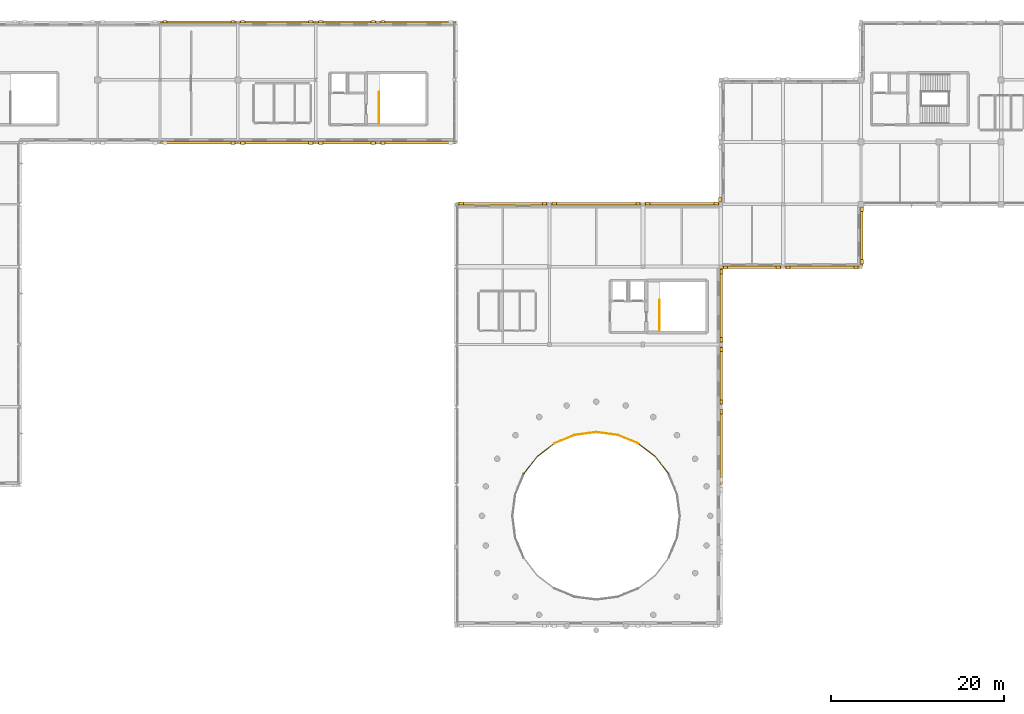
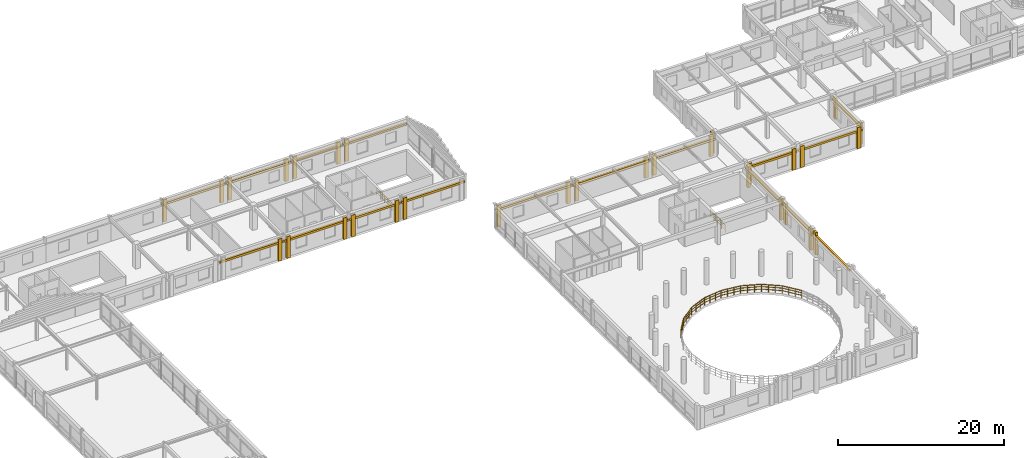
# One storey, part 48 of 52: 48 coverings, 10 railings.
"""IFC4 building model written with IfcOpenShell, lengths in metres."""

from ifc_helpers import new_model, si_unit, direction, frame, frame_2d, origin, origin_2d, place, context, subcontext, project, spatial, rectangle, circle, extrude, material, layer, layer_set, type_object, element, save


model = new_model("IFC4")

# Units and contexts
model_context = context("Model", 3, precision=1e-05, world=origin(), true_north=direction((0.0, 1.0)))
body_context = subcontext(model_context, "Body", "Model", "MODEL_VIEW")
ifc_project = project(units=[si_unit("LENGTHUNIT", "METRE"), si_unit("AREAUNIT", "SQUARE_METRE"), si_unit("VOLUMEUNIT", "CUBIC_METRE"), si_unit("PLANEANGLEUNIT", "RADIAN"), si_unit("MASSUNIT", "GRAM", prefix="KILO")], contexts=[model_context])

# Site, building, storey
site_placement = place(None, origin())
site = spatial("IfcSite", under=ifc_project, at=site_placement, CompositionType="ELEMENT")
building_placement = place(site_placement, origin())
building = spatial("IfcBuilding", under=site, at=building_placement, Name="Clarverna Civic Hall", CompositionType="ELEMENT")
storey_placement = place(building_placement, frame((0.0, 0.0, 16.800048828125)))
storey = spatial("IfcBuildingStorey", under=building, at=storey_placement, Name="L04", CompositionType="ELEMENT", Elevation=16.800048828125)

# Coverings
ifc_material_1 = material(Name="Montjuic Buff Limestone Ashlar Cladding", Category="masonry")
ifc_layer = layer(ifc_material_1, 0.070068359375)
ifc_layer_set = layer_set([ifc_layer], Name="Montjuic Buff Limestone Ashlar Cladding")
covering_type = type_object("IfcCoveringType", Name="CV-CL2", PredefinedType="CLADDING", material=ifc_layer_set)
covering_1_placement = place(storey_placement, frame((66.68505859375, 95.080078125, 2.3798828125), z_axis=(0.0, 0.0, 1.0), x_axis=(1.0, 0.0, 0.0)))
element("IfcCovering", 1, at=covering_1_placement, inside=storey, type_object=covering_type, Name="CV-CL2-737", PredefinedType="CLADDING", context=body_context, shape_type="SweptSolid", body=[
    extrude(rectangle(XDim=10.655029296875, YDim=0.280029296875, at=frame_2d((5.32763671875, 0.0))), origin(), (0.0, 0.0, 1.0), 0.300048828125),
])
for number, where, z_axis, x_axis, name in (
    (2, (66.945068359375, 95.110107421875, 0.0), (0.0, 0.0, 1.0), (1.0, 0.0, 0.0), "CV-CL2-738"),
    (3, (76.580078125, 95.110107421875, 0.0), (0.0, 0.0, 1.0), (1.0, 0.0, 0.0), "CV-CL2-739"),
):
    element("IfcCovering", number, at=place(storey_placement, frame(where, z_axis=z_axis, x_axis=x_axis)), inside=storey, type_object=covering_type, Name=name, PredefinedType="CLADDING", context=body_context, shape_type="SweptSolid", body=[
        extrude(rectangle(XDim=0.5, YDim=0.340087890625, at=frame_2d((0.25, 0.0))), origin(), (0.0, 0.0, 1.0), 3.139892578125),
    ])
covering_2_placement = place(storey_placement, frame((77.4599609375, 95.080078125, 2.2099609375), z_axis=(0.0, 0.0, 1.0), x_axis=(1.0, 0.0, 0.0)))
element("IfcCovering", 4, at=covering_2_placement, inside=storey, type_object=covering_type, Name="CV-CL2-740", PredefinedType="CLADDING", context=body_context, shape_type="SweptSolid", body=[
    extrude(rectangle(XDim=10.679931640625, YDim=0.280029296875, at=frame_2d((5.33984375, 0.0))), origin(), (0.0, 0.0, 1.0), 0.300048828125),
])
for number, where, z_axis, x_axis, name in (
    (5, (77.719970703125, 95.110107421875, 0.0), (0.0, 0.0, 1.0), (1.0, 0.0, 0.0), "CV-CL2-741"),
    (6, (87.3798828125, 95.110107421875, 0.0), (0.0, 0.0, 1.0), (1.0, 0.0, 0.0), "CV-CL2-742"),
):
    element("IfcCovering", number, at=place(storey_placement, frame(where, z_axis=z_axis, x_axis=x_axis)), inside=storey, type_object=covering_type, Name=name, PredefinedType="CLADDING", context=body_context, shape_type="SweptSolid", body=[
        extrude(rectangle(XDim=0.5, YDim=0.340087890625, at=frame_2d((0.25, 0.0))), origin(), (0.0, 0.0, 1.0), 2.969970703125),
    ])
covering_3_placement = place(storey_placement, frame((88.260009765625, 95.080078125, 2.2099609375), z_axis=(0.0, 0.0, 1.0), x_axis=(1.0, 0.0, 0.0)))
element("IfcCovering", 7, at=covering_3_placement, inside=storey, type_object=covering_type, Name="CV-CL2-743", PredefinedType="CLADDING", context=body_context, shape_type="SweptSolid", body=[
    extrude(rectangle(XDim=8.905029296875, YDim=0.280029296875, at=frame_2d((4.45263671875, 0.0))), origin(), (0.0, 0.0, 1.0), 0.300048828125),
])
for number, where, z_axis, x_axis, name in (
    (8, (88.52001953125, 95.110107421875, 0.0), (0.0, 0.0, 1.0), (1.0, 0.0, 0.0), "CV-CL2-744"),
    (9, (96.405029296875, 95.110107421875, 0.0), (0.0, 0.0, 1.0), (1.0, 0.0, 0.0), "CV-CL2-745"),
):
    element("IfcCovering", number, at=place(storey_placement, frame(where, z_axis=z_axis, x_axis=x_axis)), inside=storey, type_object=covering_type, Name=name, PredefinedType="CLADDING", context=body_context, shape_type="SweptSolid", body=[
        extrude(rectangle(XDim=0.5, YDim=0.340087890625, at=frame_2d((0.25, 0.0))), origin(), (0.0, 0.0, 1.0), 2.969970703125),
    ])
covering_4_placement = place(storey_placement, frame((97.114990234375, 95.320068359375, 0.0), z_axis=(0.0, 0.0, 1.0), x_axis=(0.0, 1.0, 0.0)))
element("IfcCovering", 10, at=covering_4_placement, inside=storey, type_object=covering_type, Name="CV-CL2-747", PredefinedType="CLADDING", context=body_context, shape_type="SweptSolid", body=[
    extrude(rectangle(XDim=0.5, YDim=0.340087890625, at=frame_2d((0.25, 0.0))), origin(), (0.0, 0.0, 1.0), 3.099853515625),
])
covering_5_placement = place(storey_placement, frame((113.47998046875, 94.93994140625, 2.35986328125), z_axis=(0.0, 0.0, 1.0), x_axis=(0.0, -1.0, 0.0)))
element("IfcCovering", 11, at=covering_5_placement, inside=storey, type_object=covering_type, Name="CV-CL2-773", PredefinedType="CLADDING", context=body_context, shape_type="SweptSolid", body=[
    extrude(rectangle(XDim=7.079833984375, YDim=0.280029296875, at=frame_2d((3.5400390625, 0.0))), origin(), (0.0, 0.0, 1.0), 0.300048828125),
])
for number, where, z_axis, x_axis, name in (
    (12, (113.510009765625, 94.679931640625, 0.0), (0.0, 0.0, 1.0), (0.0, -1.0, 0.0), "CV-CL2-774"),
    (13, (113.510009765625, 88.6201171875, 0.0), (0.0, 0.0, 1.0), (0.0, -1.0, 0.0), "CV-CL2-775"),
):
    element("IfcCovering", number, at=place(storey_placement, frame(where, z_axis=z_axis, x_axis=x_axis)), inside=storey, type_object=covering_type, Name=name, PredefinedType="CLADDING", context=body_context, shape_type="SweptSolid", body=[
        extrude(rectangle(XDim=0.5, YDim=0.340087890625, at=frame_2d((0.25, 0.0))), origin(), (0.0, 0.0, 1.0), 3.119873046875),
    ])
covering_6_placement = place(storey_placement, frame((113.340087890625, 87.719970703125, 2.35986328125), z_axis=(0.0, 0.0, 1.0), x_axis=(-1.0, 0.0, 0.0)))
element("IfcCovering", 14, at=covering_6_placement, inside=storey, type_object=covering_type, Name="CV-CL2-776", PredefinedType="CLADDING", context=body_context, shape_type="SweptSolid", body=[
    extrude(rectangle(XDim=8.880126953125, YDim=0.280029296875, at=frame_2d((4.43994140625, 0.0))), origin(), (0.0, 0.0, 1.0), 0.300048828125),
])
for number, where, z_axis, x_axis, name in (
    (15, (113.080078125, 87.68994140625, 0.0), (0.0, 0.0, 1.0), (-1.0, 0.0, 0.0), "CV-CL2-777"),
    (16, (105.219970703125, 87.68994140625, 0.0), (0.0, 0.0, 1.0), (-1.0, 0.0, 0.0), "CV-CL2-778"),
):
    element("IfcCovering", number, at=place(storey_placement, frame(where, z_axis=z_axis, x_axis=x_axis)), inside=storey, type_object=covering_type, Name=name, PredefinedType="CLADDING", context=body_context, shape_type="SweptSolid", body=[
        extrude(rectangle(XDim=0.5, YDim=0.340087890625, at=frame_2d((0.25, 0.0))), origin(), (0.0, 0.0, 1.0), 3.119873046875),
    ])
covering_7_placement = place(storey_placement, frame((104.340087890625, 87.719970703125, 2.33984375), z_axis=(0.0, 0.0, 1.0), x_axis=(-1.0, 0.0, 0.0)))
element("IfcCovering", 17, at=covering_7_placement, inside=storey, type_object=covering_type, Name="CV-CL2-779", PredefinedType="CLADDING", context=body_context, shape_type="SweptSolid", body=[
    extrude(rectangle(XDim=7.10498046875, YDim=0.280029296875, at=frame_2d((3.552490234375, 0.0))), origin(), (0.0, 0.0, 1.0), 0.300048828125),
])
for number, where, z_axis, x_axis, name in (
    (18, (104.080078125, 87.68994140625, 0.0), (0.0, 0.0, 1.0), (-1.0, 0.0, 0.0), "CV-CL2-780"),
    (19, (97.9951171875, 87.68994140625, 0.0), (0.0, 0.0, 1.0), (-1.0, 0.0, 0.0), "CV-CL2-781"),
):
    element("IfcCovering", number, at=place(storey_placement, frame(where, z_axis=z_axis, x_axis=x_axis)), inside=storey, type_object=covering_type, Name=name, PredefinedType="CLADDING", context=body_context, shape_type="SweptSolid", body=[
        extrude(rectangle(XDim=0.5, YDim=0.340087890625, at=frame_2d((0.25, 0.0))), origin(), (0.0, 0.0, 1.0), 3.099853515625),
    ])
covering_8_placement = place(storey_placement, frame((97.2548828125, 87.739990234375, 2.33984375), z_axis=(0.0, 0.0, 1.0), x_axis=(0.0, -1.0, 0.0)))
element("IfcCovering", 20, at=covering_8_placement, inside=storey, type_object=covering_type, Name="CV-CL2-782", PredefinedType="CLADDING", context=body_context, shape_type="SweptSolid", body=[
    extrude(rectangle(XDim=8.8798828125, YDim=0.280029296875, at=frame_2d((4.43994140625, 0.0))), origin(), (0.0, 0.0, 1.0), 0.300048828125),
])
for number, where, z_axis, x_axis, name in (
    (21, (97.284912109375, 87.47998046875, 0.0), (0.0, 0.0, 1.0), (0.0, -1.0, 0.0), "CV-CL2-783"),
    (22, (97.284912109375, 79.6201171875, 0.0), (0.0, 0.0, 1.0), (0.0, -1.0, 0.0), "CV-CL2-784"),
):
    element("IfcCovering", number, at=place(storey_placement, frame(where, z_axis=z_axis, x_axis=x_axis)), inside=storey, type_object=covering_type, Name=name, PredefinedType="CLADDING", context=body_context, shape_type="SweptSolid", body=[
        extrude(rectangle(XDim=0.5, YDim=0.340087890625, at=frame_2d((0.25, 0.0))), origin(), (0.0, 0.0, 1.0), 3.099853515625),
    ])
covering_9_placement = place(storey_placement, frame((97.2548828125, 78.739990234375, 2.33984375), z_axis=(0.0, 0.0, 1.0), x_axis=(0.0, -1.0, 0.0)))
element("IfcCovering", 23, at=covering_9_placement, inside=storey, type_object=covering_type, Name="CV-CL2-785", PredefinedType="CLADDING", context=body_context, shape_type="SweptSolid", body=[
    extrude(rectangle(XDim=7.080078125, YDim=0.280029296875, at=frame_2d((3.5400390625, 0.0))), origin(), (0.0, 0.0, 1.0), 0.300048828125),
])
for number, where, z_axis, x_axis, name in (
    (24, (97.284912109375, 78.47998046875, 0.0), (0.0, 0.0, 1.0), (0.0, -1.0, 0.0), "CV-CL2-786"),
    (25, (97.284912109375, 72.419921875, 0.0), (0.0, 0.0, 1.0), (0.0, -1.0, 0.0), "CV-CL2-787"),
):
    element("IfcCovering", number, at=place(storey_placement, frame(where, z_axis=z_axis, x_axis=x_axis)), inside=storey, type_object=covering_type, Name=name, PredefinedType="CLADDING", context=body_context, shape_type="SweptSolid", body=[
        extrude(rectangle(XDim=0.5, YDim=0.340087890625, at=frame_2d((0.25, 0.0))), origin(), (0.0, 0.0, 1.0), 3.099853515625),
    ])
covering_10_placement = place(storey_placement, frame((97.2548828125, 71.5400390625, 2.5), z_axis=(0.0, 0.0, 1.0), x_axis=(0.0, -1.0, 0.0)))
element("IfcCovering", 26, at=covering_10_placement, inside=storey, type_object=covering_type, Name="CV-CL2-788", PredefinedType="CLADDING", context=body_context, shape_type="SweptSolid", body=[
    extrude(rectangle(XDim=8.880126953125, YDim=0.280029296875, at=frame_2d((4.43994140625, 0.0))), origin(), (0.0, 0.0, 1.0), 0.300048828125),
])
covering_11_placement = place(storey_placement, frame((97.284912109375, 71.280029296875, 0.0), z_axis=(0.0, 0.0, 1.0), x_axis=(0.0, -1.0, 0.0)))
element("IfcCovering", 27, at=covering_11_placement, inside=storey, type_object=covering_type, Name="CV-CL2-789", PredefinedType="CLADDING", context=body_context, shape_type="SweptSolid", body=[
    extrude(rectangle(XDim=0.5, YDim=0.340087890625, at=frame_2d((0.25, 0.0))), origin(), (0.0, 0.0, 1.0), 3.260009765625),
])
covering_12_placement = place(storey_placement, frame((32.4599609375, 116.080078125, 2.4599609375), z_axis=(0.0, 0.0, 1.0), x_axis=(1.0, 0.0, 0.0)))
element("IfcCovering", 28, at=covering_12_placement, inside=storey, type_object=covering_type, Name="CV-CL2-818", PredefinedType="CLADDING", context=body_context, shape_type="SweptSolid", body=[
    extrude(rectangle(XDim=8.880126953125, YDim=0.280029296875, at=frame_2d((4.43994140625, 0.0))), origin(), (0.0, 0.0, 1.0), 0.300048828125),
])
for number, where, z_axis, x_axis, name in (
    (29, (32.719970703125, 116.110107421875, 0.0), (0.0, 0.0, 1.0), (1.0, 0.0, 0.0), "CV-CL2-819"),
    (30, (40.580078125, 116.110107421875, 0.0), (0.0, 0.0, 1.0), (1.0, 0.0, 0.0), "CV-CL2-820"),
):
    element("IfcCovering", number, at=place(storey_placement, frame(where, z_axis=z_axis, x_axis=x_axis)), inside=storey, type_object=covering_type, Name=name, PredefinedType="CLADDING", context=body_context, shape_type="SweptSolid", body=[
        extrude(rectangle(XDim=0.5, YDim=0.340087890625, at=frame_2d((0.25, 0.0))), origin(), (0.0, 0.0, 1.0), 3.219970703125),
    ])
covering_13_placement = place(storey_placement, frame((41.4599609375, 116.080078125, 2.419921875), z_axis=(0.0, 0.0, 1.0), x_axis=(1.0, 0.0, 0.0)))
element("IfcCovering", 31, at=covering_13_placement, inside=storey, type_object=covering_type, Name="CV-CL2-821", PredefinedType="CLADDING", context=body_context, shape_type="SweptSolid", body=[
    extrude(rectangle(XDim=8.880126953125, YDim=0.280029296875, at=frame_2d((4.43994140625, 0.0))), origin(), (0.0, 0.0, 1.0), 0.300048828125),
])
for number, where, z_axis, x_axis, name in (
    (32, (41.719970703125, 116.110107421875, 0.0), (0.0, 0.0, 1.0), (1.0, 0.0, 0.0), "CV-CL2-822"),
    (33, (49.580078125, 116.110107421875, 0.0), (0.0, 0.0, 1.0), (1.0, 0.0, 0.0), "CV-CL2-823"),
):
    element("IfcCovering", number, at=place(storey_placement, frame(where, z_axis=z_axis, x_axis=x_axis)), inside=storey, type_object=covering_type, Name=name, PredefinedType="CLADDING", context=body_context, shape_type="SweptSolid", body=[
        extrude(rectangle(XDim=0.5, YDim=0.340087890625, at=frame_2d((0.25, 0.0))), origin(), (0.0, 0.0, 1.0), 3.179931640625),
    ])
covering_14_placement = place(storey_placement, frame((50.4599609375, 116.080078125, 2.419921875), z_axis=(0.0, 0.0, 1.0), x_axis=(1.0, 0.0, 0.0)))
element("IfcCovering", 34, at=covering_14_placement, inside=storey, type_object=covering_type, Name="CV-CL2-824", PredefinedType="CLADDING", context=body_context, shape_type="SweptSolid", body=[
    extrude(rectangle(XDim=7.080078125, YDim=0.280029296875, at=frame_2d((3.5400390625, 0.0))), origin(), (0.0, 0.0, 1.0), 0.300048828125),
])
for number, where, z_axis, x_axis, name in (
    (35, (50.719970703125, 116.110107421875, 0.0), (0.0, 0.0, 1.0), (1.0, 0.0, 0.0), "CV-CL2-825"),
    (36, (56.780029296875, 116.110107421875, 0.0), (0.0, 0.0, 1.0), (1.0, 0.0, 0.0), "CV-CL2-826"),
):
    element("IfcCovering", number, at=place(storey_placement, frame(where, z_axis=z_axis, x_axis=x_axis)), inside=storey, type_object=covering_type, Name=name, PredefinedType="CLADDING", context=body_context, shape_type="SweptSolid", body=[
        extrude(rectangle(XDim=0.5, YDim=0.340087890625, at=frame_2d((0.25, 0.0))), origin(), (0.0, 0.0, 1.0), 3.179931640625),
    ])
covering_15_placement = place(storey_placement, frame((57.659912109375, 116.080078125, 2.419921875), z_axis=(0.0, 0.0, 1.0), x_axis=(1.0, 0.0, 0.0)))
element("IfcCovering", 37, at=covering_15_placement, inside=storey, type_object=covering_type, Name="CV-CL2-827", PredefinedType="CLADDING", context=body_context, shape_type="SweptSolid", body=[
    extrude(rectangle(XDim=8.85498046875, YDim=0.280029296875, at=frame_2d((4.427490234375, 0.0))), origin(), (0.0, 0.0, 1.0), 0.300048828125),
])
covering_16_placement = place(storey_placement, frame((57.919921875, 116.110107421875, 0.0), z_axis=(0.0, 0.0, 1.0), x_axis=(1.0, 0.0, 0.0)))
element("IfcCovering", 38, at=covering_16_placement, inside=storey, type_object=covering_type, Name="CV-CL2-828", PredefinedType="CLADDING", context=body_context, shape_type="SweptSolid", body=[
    extrude(rectangle(XDim=0.5, YDim=0.340087890625, at=frame_2d((0.25, 0.0))), origin(), (0.0, 0.0, 1.0), 3.179931640625),
])
covering_17_placement = place(storey_placement, frame((66.514892578125, 102.1201171875, 2.419921875), z_axis=(0.0, 0.0, 1.0), x_axis=(-1.0, 0.0, 0.0)))
element("IfcCovering", 39, at=covering_17_placement, inside=storey, type_object=covering_type, Name="CV-CL2-830", PredefinedType="CLADDING", context=body_context, shape_type="SweptSolid", body=[
    extrude(rectangle(XDim=8.85498046875, YDim=0.280029296875, at=frame_2d((4.427490234375, 0.0))), origin(), (0.0, 0.0, 1.0), 0.300048828125),
])
covering_18_placement = place(storey_placement, frame((58.419921875, 102.090087890625, 0.0), z_axis=(0.0, 0.0, 1.0), x_axis=(-1.0, 0.0, 0.0)))
element("IfcCovering", 40, at=covering_18_placement, inside=storey, type_object=covering_type, Name="CV-CL2-832", PredefinedType="CLADDING", context=body_context, shape_type="SweptSolid", body=[
    extrude(rectangle(XDim=0.5, YDim=0.340087890625, at=frame_2d((0.25, 0.0))), origin(), (0.0, 0.0, 1.0), 3.179931640625),
])
covering_19_placement = place(storey_placement, frame((57.5400390625, 102.1201171875, 2.419921875), z_axis=(0.0, 0.0, 1.0), x_axis=(-1.0, 0.0, 0.0)))
element("IfcCovering", 41, at=covering_19_placement, inside=storey, type_object=covering_type, Name="CV-CL2-833", PredefinedType="CLADDING", context=body_context, shape_type="SweptSolid", body=[
    extrude(rectangle(XDim=7.080078125, YDim=0.280029296875, at=frame_2d((3.5400390625, 0.0))), origin(), (0.0, 0.0, 1.0), 0.300048828125),
])
for number, where, z_axis, x_axis, name in (
    (42, (57.280029296875, 102.090087890625, 0.0), (0.0, 0.0, 1.0), (-1.0, 0.0, 0.0), "CV-CL2-834"),
    (43, (51.219970703125, 102.090087890625, 0.0), (0.0, 0.0, 1.0), (-1.0, 0.0, 0.0), "CV-CL2-835"),
):
    element("IfcCovering", number, at=place(storey_placement, frame(where, z_axis=z_axis, x_axis=x_axis)), inside=storey, type_object=covering_type, Name=name, PredefinedType="CLADDING", context=body_context, shape_type="SweptSolid", body=[
        extrude(rectangle(XDim=0.5, YDim=0.340087890625, at=frame_2d((0.25, 0.0))), origin(), (0.0, 0.0, 1.0), 3.179931640625),
    ])
covering_20_placement = place(storey_placement, frame((50.340087890625, 102.1201171875, 2.419921875), z_axis=(0.0, 0.0, 1.0), x_axis=(-1.0, 0.0, 0.0)))
element("IfcCovering", 44, at=covering_20_placement, inside=storey, type_object=covering_type, Name="CV-CL2-836", PredefinedType="CLADDING", context=body_context, shape_type="SweptSolid", body=[
    extrude(rectangle(XDim=8.880126953125, YDim=0.280029296875, at=frame_2d((4.43994140625, 0.0))), origin(), (0.0, 0.0, 1.0), 0.300048828125),
])
for number, where, z_axis, x_axis, name in (
    (45, (50.080078125, 102.090087890625, 0.0), (0.0, 0.0, 1.0), (-1.0, 0.0, 0.0), "CV-CL2-837"),
    (46, (42.219970703125, 102.090087890625, 0.0), (0.0, 0.0, 1.0), (-1.0, 0.0, 0.0), "CV-CL2-838"),
):
    element("IfcCovering", number, at=place(storey_placement, frame(where, z_axis=z_axis, x_axis=x_axis)), inside=storey, type_object=covering_type, Name=name, PredefinedType="CLADDING", context=body_context, shape_type="SweptSolid", body=[
        extrude(rectangle(XDim=0.5, YDim=0.340087890625, at=frame_2d((0.25, 0.0))), origin(), (0.0, 0.0, 1.0), 3.179931640625),
    ])
covering_21_placement = place(storey_placement, frame((41.340087890625, 102.1201171875, 2.4599609375), z_axis=(0.0, 0.0, 1.0), x_axis=(-1.0, 0.0, 0.0)))
element("IfcCovering", 47, at=covering_21_placement, inside=storey, type_object=covering_type, Name="CV-CL2-839", PredefinedType="CLADDING", context=body_context, shape_type="SweptSolid", body=[
    extrude(rectangle(XDim=8.880126953125, YDim=0.280029296875, at=frame_2d((4.43994140625, 0.0))), origin(), (0.0, 0.0, 1.0), 0.300048828125),
])
covering_22_placement = place(storey_placement, frame((41.080078125, 102.090087890625, 0.0), z_axis=(0.0, 0.0, 1.0), x_axis=(-1.0, 0.0, 0.0)))
element("IfcCovering", 48, at=covering_22_placement, inside=storey, type_object=covering_type, Name="CV-CL2-840", PredefinedType="CLADDING", context=body_context, shape_type="SweptSolid", body=[
    extrude(rectangle(XDim=0.5, YDim=0.340087890625, at=frame_2d((0.25, 0.0))), origin(), (0.0, 0.0, 1.0), 3.219970703125),
])

# Railings
ifc_material_2 = material(Name="Anodised Bronze Architectural Balustrade")
railing_type = type_object("IfcRailingType", Name="GR-02", PredefinedType="BALUSTRADE", material=ifc_material_2)
railing_1_placement = place(storey_placement, frame((90.110107421875, 80.340087890625, 0.0)))
element("IfcRailing", 49, at=railing_1_placement, inside=storey, type_object=railing_type, Name="GR-02-087", PredefinedType="BALUSTRADE", context=body_context, shape_type="SweptSolid", body=[
    extrude(circle(Radius=0.02392578125, at=origin_2d()), frame((0.0, 0.0, 1.09619140625), z_axis=(0.0, 1.0, 0.0), x_axis=(-1.0, 0.0, 0.0)), (0.0, 0.0, 1.0), 3.619873046875),
    extrude(circle(Radius=0.011962890625, at=origin_2d()), frame((0.0, 0.0, 0.39208984375), z_axis=(0.0, 1.0, 0.0), x_axis=(-1.0, 0.0, 0.0)), (0.0, 0.0, 1.0), 3.619873046875),
    extrude(circle(Radius=0.011962890625, at=origin_2d()), frame((0.0, 0.0, 0.76171875), z_axis=(0.0, 1.0, 0.0), x_axis=(-1.0, 0.0, 0.0)), (0.0, 0.0, 1.0), 3.619873046875),
    extrude(circle(Radius=0.02099609375, at=origin_2d()), origin(), (0.0, 0.0, 1.0), 1.072021484375),
    extrude(circle(Radius=0.02099609375, at=origin_2d()), frame((0.0, 0.905029296875, 0.0)), (0.0, 0.0, 1.0), 1.072021484375),
    extrude(circle(Radius=0.02099609375, at=origin_2d()), frame((0.0, 1.81005859375, 0.0)), (0.0, 0.0, 1.0), 1.072021484375),
    extrude(circle(Radius=0.02099609375, at=origin_2d()), frame((0.0, 2.71484375, 0.0)), (0.0, 0.0, 1.0), 1.072021484375),
    extrude(circle(Radius=0.02099609375, at=origin_2d()), frame((0.0, 3.619873046875, 0.0)), (0.0, 0.0, 1.0), 1.072021484375),
])
railing_2_placement = place(storey_placement, frame((57.7099609375, 104.340087890625, 0.0)))
element("IfcRailing", 50, at=railing_2_placement, inside=storey, type_object=railing_type, Name="GR-02-195", PredefinedType="BALUSTRADE", context=body_context, shape_type="SweptSolid", body=[
    extrude(circle(Radius=0.02392578125, at=origin_2d()), frame((0.0, 0.0, 1.09619140625), z_axis=(0.0, 1.0, 0.0), x_axis=(-1.0, 0.0, 0.0)), (0.0, 0.0, 1.0), 3.659912109375),
    extrude(circle(Radius=0.011962890625, at=origin_2d()), frame((0.0, 0.0, 0.39208984375), z_axis=(0.0, 1.0, 0.0), x_axis=(-1.0, 0.0, 0.0)), (0.0, 0.0, 1.0), 3.659912109375),
    extrude(circle(Radius=0.011962890625, at=origin_2d()), frame((0.0, 0.0, 0.76171875), z_axis=(0.0, 1.0, 0.0), x_axis=(-1.0, 0.0, 0.0)), (0.0, 0.0, 1.0), 3.659912109375),
    extrude(circle(Radius=0.02099609375, at=origin_2d()), origin(), (0.0, 0.0, 1.0), 1.072021484375),
    extrude(circle(Radius=0.02099609375, at=origin_2d()), frame((0.0, 0.9150390625, 0.0)), (0.0, 0.0, 1.0), 1.072021484375),
    extrude(circle(Radius=0.02099609375, at=origin_2d()), frame((0.0, 1.830078125, 0.0)), (0.0, 0.0, 1.0), 1.072021484375),
    extrude(circle(Radius=0.02099609375, at=origin_2d()), frame((0.0, 2.744873046875, 0.0)), (0.0, 0.0, 1.0), 1.072021484375),
    extrude(circle(Radius=0.02099609375, at=origin_2d()), frame((0.0, 3.659912109375, 0.0)), (0.0, 0.0, 1.0), 1.072021484375),
])
railing_3_placement = place(storey_placement, frame((74.416259765625, 63.84033203125, 0.0)))
element("IfcRailing", 51, at=railing_3_placement, inside=storey, type_object=railing_type, Name="GR-02-278", PredefinedType="BALUSTRADE", context=body_context, shape_type="SweptSolid", body=[
    extrude(circle(Radius=0.02392578125, at=origin_2d()), frame((0.0, 0.0, 1.09619140625), z_axis=(0.608743841742, 0.793366835166, 0.0), x_axis=(-0.793366835166, 0.608743841742, 0.0)), (0.0, 0.0, 1.0), 2.527099609375),
    extrude(circle(Radius=0.011962890625, at=origin_2d()), frame((0.0, 0.0, 0.39208984375), z_axis=(0.608743841742, 0.793366835166, 0.0), x_axis=(-0.793366835166, 0.608743841742, 0.0)), (0.0, 0.0, 1.0), 2.527099609375),
    extrude(circle(Radius=0.011962890625, at=origin_2d()), frame((0.0, 0.0, 0.76171875), z_axis=(0.608743841742, 0.793366835166, 0.0), x_axis=(-0.793366835166, 0.608743841742, 0.0)), (0.0, 0.0, 1.0), 2.527099609375),
    extrude(circle(Radius=0.02099609375, at=origin_2d()), origin(), (0.0, 0.0, 1.0), 1.072021484375),
    extrude(circle(Radius=0.02099609375, at=origin_2d()), frame((0.5126953125, 0.668212890625, 0.0)), (0.0, 0.0, 1.0), 1.072021484375),
    extrude(circle(Radius=0.02099609375, at=origin_2d()), frame((1.025634765625, 1.336669921875, 0.0)), (0.0, 0.0, 1.0), 1.072021484375),
    extrude(circle(Radius=0.02099609375, at=origin_2d()), frame((1.538330078125, 2.0048828125, 0.0)), (0.0, 0.0, 1.0), 1.072021484375),
])
railing_4_placement = place(storey_placement, frame((75.95458984375, 65.84521484375, 0.0)))
element("IfcRailing", 52, at=railing_4_placement, inside=storey, type_object=railing_type, Name="GR-02-279", PredefinedType="BALUSTRADE", context=body_context, shape_type="SweptSolid", body=[
    extrude(circle(Radius=0.02392578125, at=origin_2d()), frame((0.0, 0.0, 1.09619140625), z_axis=(0.79335597862, 0.608757990657, 0.0), x_axis=(-0.608757990657, 0.79335597862, 0.0)), (0.0, 0.0, 1.0), 2.52734375),
    extrude(circle(Radius=0.011962890625, at=origin_2d()), frame((0.0, 0.0, 0.39208984375), z_axis=(0.79335597862, 0.608757990657, 0.0), x_axis=(-0.608757990657, 0.79335597862, 0.0)), (0.0, 0.0, 1.0), 2.52734375),
    extrude(circle(Radius=0.011962890625, at=origin_2d()), frame((0.0, 0.0, 0.76171875), z_axis=(0.79335597862, 0.608757990657, 0.0), x_axis=(-0.608757990657, 0.79335597862, 0.0)), (0.0, 0.0, 1.0), 2.52734375),
    extrude(circle(Radius=0.02099609375, at=origin_2d()), origin(), (0.0, 0.0, 1.0), 1.072021484375),
    extrude(circle(Radius=0.02099609375, at=origin_2d()), frame((0.66845703125, 0.512939453125, 0.0)), (0.0, 0.0, 1.0), 1.072021484375),
    extrude(circle(Radius=0.02099609375, at=origin_2d()), frame((1.336669921875, 1.025634765625, 0.0)), (0.0, 0.0, 1.0), 1.072021484375),
    extrude(circle(Radius=0.02099609375, at=origin_2d()), frame((2.005126953125, 1.53857421875, 0.0)), (0.0, 0.0, 1.0), 1.072021484375),
])
railing_5_placement = place(storey_placement, frame((77.959716796875, 67.3837890625, 0.0)))
element("IfcRailing", 53, at=railing_5_placement, inside=storey, type_object=railing_type, Name="GR-02-280", PredefinedType="BALUSTRADE", context=body_context, shape_type="SweptSolid", body=[
    extrude(circle(Radius=0.02392578125, at=origin_2d()), frame((0.0, 0.0, 1.09619140625), z_axis=(0.923883778051, 0.382673182564, 0.0), x_axis=(-0.382673182564, 0.923883778051, 0.0)), (0.0, 0.0, 1.0), 2.527099609375),
    extrude(circle(Radius=0.011962890625, at=origin_2d()), frame((0.0, 0.0, 0.39208984375), z_axis=(0.923883778051, 0.382673182564, 0.0), x_axis=(-0.382673182564, 0.923883778051, 0.0)), (0.0, 0.0, 1.0), 2.527099609375),
    extrude(circle(Radius=0.011962890625, at=origin_2d()), frame((0.0, 0.0, 0.76171875), z_axis=(0.923883778051, 0.382673182564, 0.0), x_axis=(-0.382673182564, 0.923883778051, 0.0)), (0.0, 0.0, 1.0), 2.527099609375),
    extrude(circle(Radius=0.02099609375, at=origin_2d()), origin(), (0.0, 0.0, 1.0), 1.072021484375),
    extrude(circle(Radius=0.02099609375, at=origin_2d()), frame((0.7783203125, 0.322265625, 0.0)), (0.0, 0.0, 1.0), 1.072021484375),
    extrude(circle(Radius=0.02099609375, at=origin_2d()), frame((1.556396484375, 0.644775390625, 0.0)), (0.0, 0.0, 1.0), 1.072021484375),
    extrude(circle(Radius=0.02099609375, at=origin_2d()), frame((2.334716796875, 0.967041015625, 0.0)), (0.0, 0.0, 1.0), 1.072021484375),
])
railing_6_placement = place(storey_placement, frame((80.29443359375, 68.350830078125, 0.0)))
element("IfcRailing", 54, at=railing_6_placement, inside=storey, type_object=railing_type, Name="GR-02-281", PredefinedType="BALUSTRADE", context=body_context, shape_type="SweptSolid", body=[
    extrude(circle(Radius=0.02392578125, at=origin_2d()), frame((0.0, 0.0, 1.09619140625), z_axis=(0.991446731277, 0.130511988108, 0.0), x_axis=(-0.130511988108, 0.991446731277, 0.0)), (0.0, 0.0, 1.0), 2.52734375),
    extrude(circle(Radius=0.011962890625, at=origin_2d()), frame((0.0, 0.0, 0.39208984375), z_axis=(0.991446731277, 0.130511988108, 0.0), x_axis=(-0.130511988108, 0.991446731277, 0.0)), (0.0, 0.0, 1.0), 2.52734375),
    extrude(circle(Radius=0.011962890625, at=origin_2d()), frame((0.0, 0.0, 0.76171875), z_axis=(0.991446731277, 0.130511988108, 0.0), x_axis=(-0.130511988108, 0.991446731277, 0.0)), (0.0, 0.0, 1.0), 2.52734375),
    extrude(circle(Radius=0.02099609375, at=origin_2d()), origin(), (0.0, 0.0, 1.0), 1.072021484375),
    extrude(circle(Radius=0.02099609375, at=origin_2d()), frame((0.835205078125, 0.10986328125, 0.0)), (0.0, 0.0, 1.0), 1.072021484375),
    extrude(circle(Radius=0.02099609375, at=origin_2d()), frame((1.67041015625, 0.219970703125, 0.0)), (0.0, 0.0, 1.0), 1.072021484375),
    extrude(circle(Radius=0.02099609375, at=origin_2d()), frame((2.505615234375, 0.329833984375, 0.0)), (0.0, 0.0, 1.0), 1.072021484375),
])
railing_7_placement = place(storey_placement, frame((82.800048828125, 68.6806640625, 0.0)))
element("IfcRailing", 55, at=railing_7_placement, inside=storey, type_object=railing_type, Name="GR-02-282", PredefinedType="BALUSTRADE", context=body_context, shape_type="SweptSolid", body=[
    extrude(circle(Radius=0.02392578125, at=origin_2d()), frame((0.0, 0.0, 1.09619140625), z_axis=(0.991446731277, -0.130511988108, 0.0), x_axis=(0.130511988108, 0.991446731277, 0.0)), (0.0, 0.0, 1.0), 2.52734375),
    extrude(circle(Radius=0.011962890625, at=origin_2d()), frame((0.0, 0.0, 0.39208984375), z_axis=(0.991446731277, -0.130511988108, 0.0), x_axis=(0.130511988108, 0.991446731277, 0.0)), (0.0, 0.0, 1.0), 2.52734375),
    extrude(circle(Radius=0.011962890625, at=origin_2d()), frame((0.0, 0.0, 0.76171875), z_axis=(0.991446731277, -0.130511988108, 0.0), x_axis=(0.130511988108, 0.991446731277, 0.0)), (0.0, 0.0, 1.0), 2.52734375),
    extrude(circle(Radius=0.02099609375, at=origin_2d()), origin(), (0.0, 0.0, 1.0), 1.072021484375),
    extrude(circle(Radius=0.02099609375, at=origin_2d()), frame((0.835205078125, -0.10986328125, 0.0)), (0.0, 0.0, 1.0), 1.072021484375),
    extrude(circle(Radius=0.02099609375, at=origin_2d()), frame((1.67041015625, -0.219970703125, 0.0)), (0.0, 0.0, 1.0), 1.072021484375),
    extrude(circle(Radius=0.02099609375, at=origin_2d()), frame((2.505615234375, -0.329833984375, 0.0)), (0.0, 0.0, 1.0), 1.072021484375),
])
railing_8_placement = place(storey_placement, frame((85.3056640625, 68.350830078125, 0.0)))
element("IfcRailing", 56, at=railing_8_placement, inside=storey, type_object=railing_type, Name="GR-02-283", PredefinedType="BALUSTRADE", context=body_context, shape_type="SweptSolid", body=[
    extrude(circle(Radius=0.02392578125, at=origin_2d()), frame((0.0, 0.0, 1.09619140625), z_axis=(0.923883778051, -0.382673182564, 0.0), x_axis=(0.382673182564, 0.923883778051, 0.0)), (0.0, 0.0, 1.0), 2.527099609375),
    extrude(circle(Radius=0.011962890625, at=origin_2d()), frame((0.0, 0.0, 0.39208984375), z_axis=(0.923883778051, -0.382673182564, 0.0), x_axis=(0.382673182564, 0.923883778051, 0.0)), (0.0, 0.0, 1.0), 2.527099609375),
    extrude(circle(Radius=0.011962890625, at=origin_2d()), frame((0.0, 0.0, 0.76171875), z_axis=(0.923883778051, -0.382673182564, 0.0), x_axis=(0.382673182564, 0.923883778051, 0.0)), (0.0, 0.0, 1.0), 2.527099609375),
    extrude(circle(Radius=0.02099609375, at=origin_2d()), origin(), (0.0, 0.0, 1.0), 1.072021484375),
    extrude(circle(Radius=0.02099609375, at=origin_2d()), frame((0.7783203125, -0.322265625, 0.0)), (0.0, 0.0, 1.0), 1.072021484375),
    extrude(circle(Radius=0.02099609375, at=origin_2d()), frame((1.556396484375, -0.644775390625, 0.0)), (0.0, 0.0, 1.0), 1.072021484375),
    extrude(circle(Radius=0.02099609375, at=origin_2d()), frame((2.334716796875, -0.967041015625, 0.0)), (0.0, 0.0, 1.0), 1.072021484375),
])
railing_9_placement = place(storey_placement, frame((87.640380859375, 67.3837890625, 0.0)))
element("IfcRailing", 57, at=railing_9_placement, inside=storey, type_object=railing_type, Name="GR-02-284", PredefinedType="BALUSTRADE", context=body_context, shape_type="SweptSolid", body=[
    extrude(circle(Radius=0.02392578125, at=origin_2d()), frame((0.0, 0.0, 1.09619140625), z_axis=(0.793320176763, -0.608804646123, 0.0), x_axis=(0.608804646123, 0.793320176763, 0.0)), (0.0, 0.0, 1.0), 2.527099609375),
    extrude(circle(Radius=0.011962890625, at=origin_2d()), frame((0.0, 0.0, 0.39208984375), z_axis=(0.793320176763, -0.608804646123, 0.0), x_axis=(0.608804646123, 0.793320176763, 0.0)), (0.0, 0.0, 1.0), 2.527099609375),
    extrude(circle(Radius=0.011962890625, at=origin_2d()), frame((0.0, 0.0, 0.76171875), z_axis=(0.793320176763, -0.608804646123, 0.0), x_axis=(0.608804646123, 0.793320176763, 0.0)), (0.0, 0.0, 1.0), 2.527099609375),
    extrude(circle(Radius=0.02099609375, at=origin_2d()), origin(), (0.0, 0.0, 1.0), 1.072021484375),
    extrude(circle(Radius=0.02099609375, at=origin_2d()), frame((0.668212890625, -0.512939453125, 0.0)), (0.0, 0.0, 1.0), 1.072021484375),
    extrude(circle(Radius=0.02099609375, at=origin_2d()), frame((1.336669921875, -1.025634765625, 0.0)), (0.0, 0.0, 1.0), 1.072021484375),
    extrude(circle(Radius=0.02099609375, at=origin_2d()), frame((2.0048828125, -1.53857421875, 0.0)), (0.0, 0.0, 1.0), 1.072021484375),
])
railing_10_placement = place(storey_placement, frame((89.645263671875, 65.84521484375, 0.0)))
element("IfcRailing", 58, at=railing_10_placement, inside=storey, type_object=railing_type, Name="GR-02-285", PredefinedType="BALUSTRADE", context=body_context, shape_type="SweptSolid", body=[
    extrude(circle(Radius=0.02392578125, at=origin_2d()), frame((0.0, 0.0, 1.09619140625), z_axis=(0.608743841742, -0.793366835166, 0.0), x_axis=(0.793366835166, 0.608743841742, 0.0)), (0.0, 0.0, 1.0), 2.527099609375),
    extrude(circle(Radius=0.011962890625, at=origin_2d()), frame((0.0, 0.0, 0.39208984375), z_axis=(0.608743841742, -0.793366835166, 0.0), x_axis=(0.793366835166, 0.608743841742, 0.0)), (0.0, 0.0, 1.0), 2.527099609375),
    extrude(circle(Radius=0.011962890625, at=origin_2d()), frame((0.0, 0.0, 0.76171875), z_axis=(0.608743841742, -0.793366835166, 0.0), x_axis=(0.793366835166, 0.608743841742, 0.0)), (0.0, 0.0, 1.0), 2.527099609375),
    extrude(circle(Radius=0.02099609375, at=origin_2d()), origin(), (0.0, 0.0, 1.0), 1.072021484375),
    extrude(circle(Radius=0.02099609375, at=origin_2d()), frame((0.5126953125, -0.668212890625, 0.0)), (0.0, 0.0, 1.0), 1.072021484375),
    extrude(circle(Radius=0.02099609375, at=origin_2d()), frame((1.025634765625, -1.336669921875, 0.0)), (0.0, 0.0, 1.0), 1.072021484375),
    extrude(circle(Radius=0.02099609375, at=origin_2d()), frame((1.538330078125, -2.0048828125, 0.0)), (0.0, 0.0, 1.0), 1.072021484375),
])

save(model, "model.ifc")
